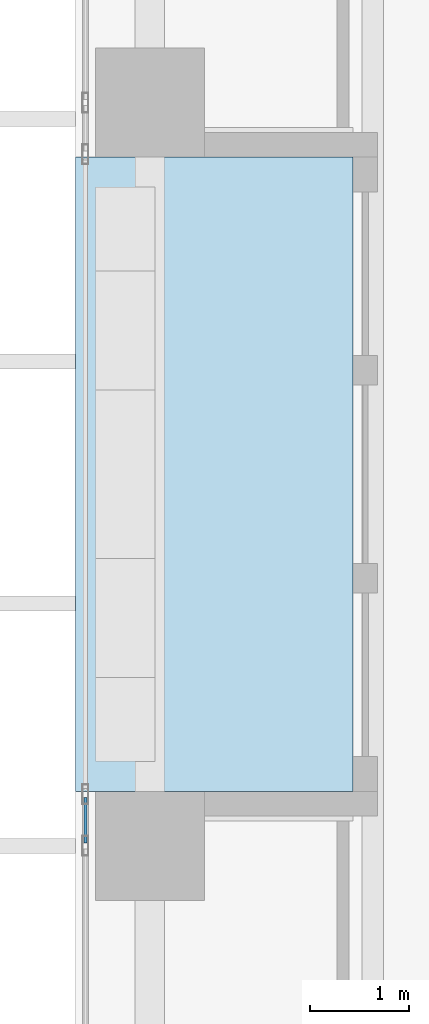
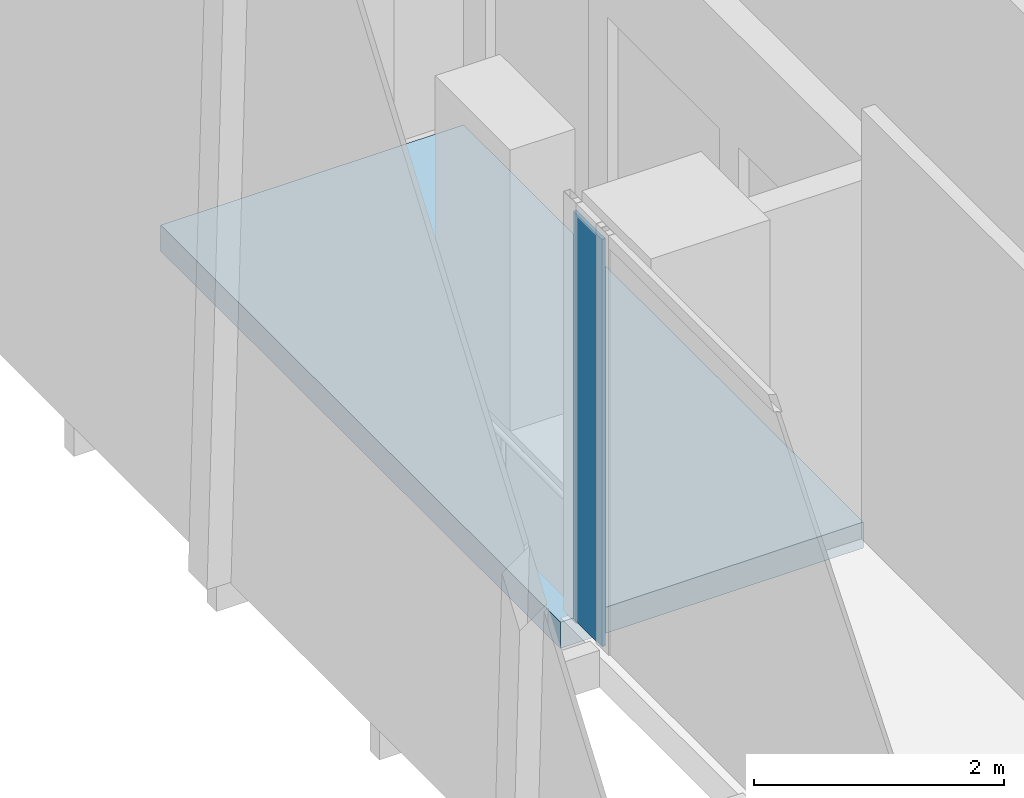
# One storey, part 22 of 35: 1 plate, 1 slab, 1 element without a shape of its own.
"""IFC4 building model written with IfcOpenShell, lengths in metres."""

from ifc_helpers import new_model, si_unit, direction, frame, origin, origin_2d, place, context, subcontext, project, spatial, polyline, rectangle, outline, extrude, source, transform, mapped, material, layer, layer_set, type_object, element, aggregate, save


model = new_model("IFC4")

# Units and contexts
model_context = context("Model", 3, precision=1e-05, world=origin(), true_north=direction((0.0, 1.0)))
body_context = subcontext(model_context, "Body", "Model", "MODEL_VIEW")
ifc_project = project(units=[si_unit("LENGTHUNIT", "METRE"), si_unit("AREAUNIT", "SQUARE_METRE"), si_unit("VOLUMEUNIT", "CUBIC_METRE"), si_unit("PLANEANGLEUNIT", "RADIAN"), si_unit("MASSUNIT", "GRAM", prefix="KILO")], contexts=[model_context])

# Site, building, storey
site_placement = place(None, origin())
site = spatial("IfcSite", under=ifc_project, at=site_placement, CompositionType="ELEMENT")
building_placement = place(site_placement, origin())
building = spatial("IfcBuilding", under=site, at=building_placement, Name="Khomas Fold Tower", CompositionType="ELEMENT")
storey_placement = place(building_placement, frame((0.0, 0.0, 127.89990234375)))
storey = spatial("IfcBuildingStorey", under=building, at=storey_placement, Name="L27", CompositionType="ELEMENT", Elevation=127.89990234375)

# Curtain wall, plate
ifc_material_1 = material(Name="Aluminium framed double glazing", Category="aluminium")
curtain_wall_type = type_object("IfcCurtainWallType", Name="SK-Unitised clear-glass wall, growing floors CW1", PredefinedType="NOTDEFINED", material=ifc_material_1)
curtain_wall_placement = place(storey_placement, origin())
curtain_wall = element("IfcCurtainWall", 1, at=curtain_wall_placement, inside=storey, type_object=curtain_wall_type, Name="CW1 run L27 09-1", PredefinedType="NOTDEFINED")
ifc_material_2 = material(Name="Clear double glazed unit")
ifc_layer_1 = layer(ifc_material_2, 0.031982421875)
ifc_layer_set_1 = layer_set([ifc_layer_1], Name="Clear double glazed unit")
plate_type = type_object("IfcPlateType", Name="SK-Unitised clear-glass wall, growing floors glass panel CW1-P", PredefinedType="CURTAIN_PANEL", material=ifc_layer_set_1)
shared_shape_1 = source(origin(), body_context, "Body", "SweptSolid", [
    extrude(rectangle(XDim=0.4599609375, YDim=0.031982421875, at=origin_2d()), origin(), (0.0, 0.0, 1.0), 3.97998046875),
])
plate_placement = place(storey_placement, frame((1.60009765625, 27.260009765625, 0.0), z_axis=(0.0, 0.0, 1.0), x_axis=(0.0, -1.0, 0.0)))
plate = element("IfcPlate", 2, at=plate_placement, type_object=plate_type, Name="CW1 glass panel 1", PredefinedType="CURTAIN_PANEL", context=body_context, shape_type="MappedRepresentation", body=[
    mapped(shared_shape_1, transform((0.0, 0.0, 0.0))),
])
aggregate(curtain_wall, [plate])

# Slab
ifc_material_3 = material(Name="Concrete C40/50", Category="concrete")
ifc_layer_2 = layer(ifc_material_3, 0.2548828125)
ifc_layer_set_2 = layer_set([ifc_layer_2], Name="Concrete C40/50")
slab_type = type_object("IfcSlabType", Name="BL-Balcony deck 255", PredefinedType="FLOOR", material=ifc_layer_set_2)
shared_shape_2 = source(origin(), body_context, "Body", "SweptSolid", [
    extrude(outline(polyline([(1.5, 27.550048828125), (4.300048828125, 27.550048828125), (4.300048828125, 33.949951171875), (1.5, 33.949951171875), (1.5, 27.550048828125)])), origin(), (0.0, 0.0, 1.0), 0.2548828125),
])
slab_placement = place(storey_placement, frame((0.0, 0.0, -0.2998046875)))
element("IfcSlab", 3, at=slab_placement, inside=storey, type_object=slab_type, Name="Balcony deck BAL-L27-W3", PredefinedType="FLOOR", context=body_context, shape_type="MappedRepresentation", body=[
    mapped(shared_shape_2, transform((0.0, 0.0, 0.0))),
])

save(model, "model.ifc")
